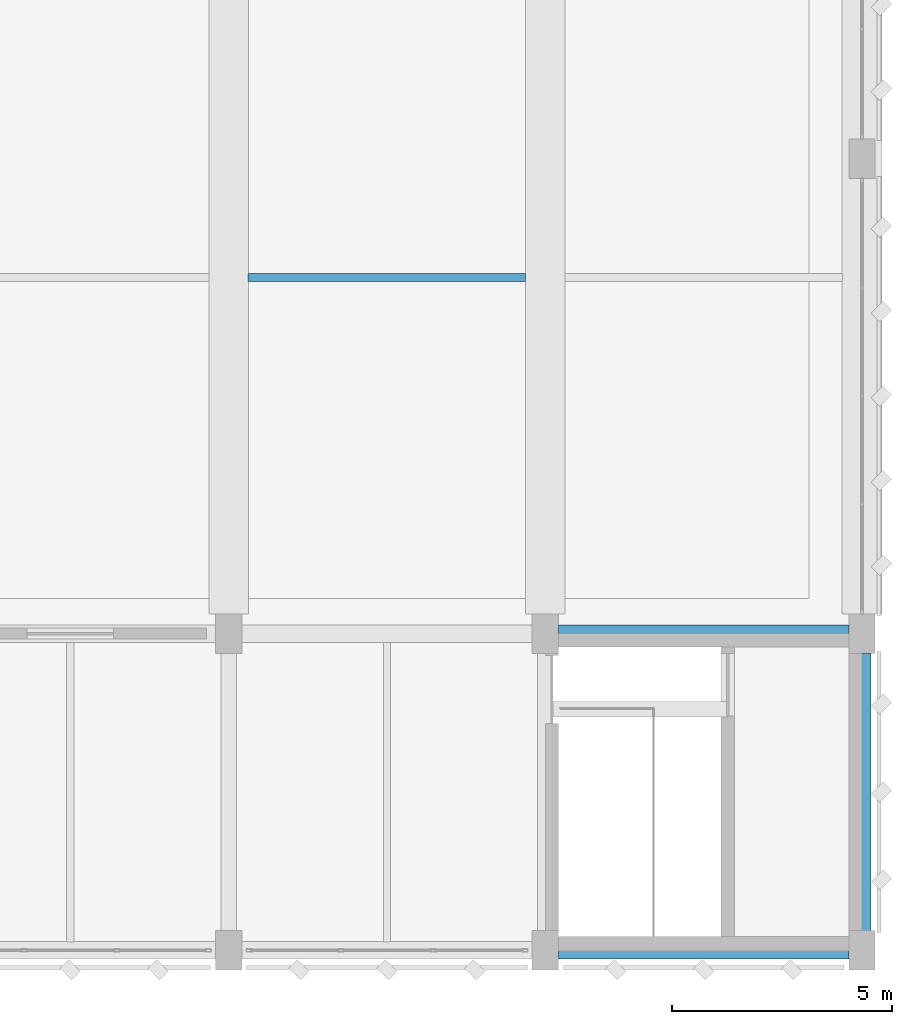
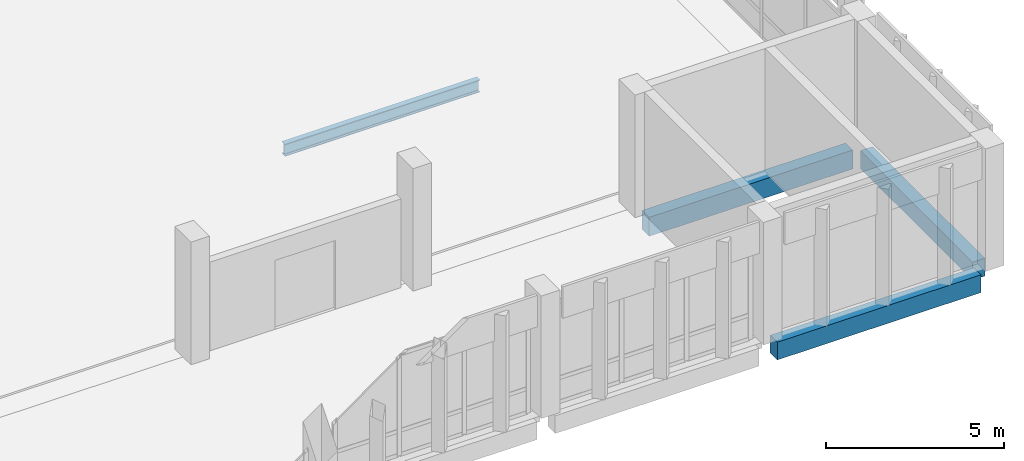
# One storey, part 79 of 158: 4 beams.
"""IFC4 building model written with IfcOpenShell, lengths in metres."""

from ifc_helpers import new_model, si_unit, direction, frame, origin, origin_2d, place, context, subcontext, project, spatial, rectangle, i_section, extrude, material, material_profile, profile_set, type_object, element, save


model = new_model("IFC4")

# Units and contexts
model_context = context("Model", 3, precision=1e-05, world=origin(), true_north=direction((0.0, 1.0)))
body_context = subcontext(model_context, "Body", "Model", "MODEL_VIEW")
ifc_project = project(units=[si_unit("LENGTHUNIT", "METRE"), si_unit("AREAUNIT", "SQUARE_METRE"), si_unit("VOLUMEUNIT", "CUBIC_METRE"), si_unit("PLANEANGLEUNIT", "RADIAN"), si_unit("MASSUNIT", "GRAM", prefix="KILO")], contexts=[model_context])

# Site, building, storey
site_placement = place(None, origin())
site = spatial("IfcSite", under=ifc_project, at=site_placement, CompositionType="ELEMENT")
building_placement = place(site_placement, origin())
building = spatial("IfcBuilding", under=site, at=building_placement, Name="Lusvemor Sports Hall", CompositionType="ELEMENT")
storey_placement = place(building_placement, frame((0.0, 0.0, 10.800048828125)))
storey = spatial("IfcBuildingStorey", under=building, at=storey_placement, Name="L02", CompositionType="ELEMENT", Elevation=10.800048828125)

# Beams
ifc_material_1 = material(Name="Concrete C40/50", Category="concrete")
ifc_material_profile_1 = material_profile(ifc_material_1, rectangle(XDim=0.39990234375, YDim=0.64990234375, at=origin_2d()), Name="RC400x650")
ifc_profile_set_1 = profile_set([ifc_material_profile_1], Name="Concrete C40/50")
beam_type_1 = type_object("IfcBeamType", Name="BEAM_RC_650", PredefinedType="BEAM", material=ifc_profile_set_1)
beam_1_placement = place(storey_placement, frame((162.2958984375, 7.199951171875, -0.675048828125), z_axis=(1.0, 0.0, 0.0), x_axis=(0.0, 1.0, 0.0)))
element("IfcBeam", 1, at=beam_1_placement, inside=storey, type_object=beam_type_1, Name="Beam L02 B:19-20", PredefinedType="BEAM", context=body_context, shape_type="SweptSolid", body=[
    extrude(rectangle(XDim=0.39990234375, YDim=0.64990234375, at=origin_2d()), origin(), (0.0, 0.0, 1.0), 6.608154296875),
])
ifc_material_2 = material(Name="Steel S355", Category="steel")
ifc_material_profile_2 = material_profile(ifc_material_2, i_section(OverallWidth=0.180908203125, OverallDepth=0.4169921875, WebThickness=0.010986328125, FlangeThickness=0.018310546875, FilletRadius=0.01611328125, at=origin_2d()), Name="W410x85.0")
ifc_profile_set_2 = profile_set([ifc_material_profile_2], Name="Steel S355")
beam_type_2 = type_object("IfcBeamType", Name="BEAM_ST_410H", PredefinedType="BEAM", material=ifc_profile_set_2)
beam_2_placement = place(storey_placement, frame((155.2451171875, 15.300048828125, -0.5625), z_axis=(1.0, 0.0, 0.0), x_axis=(0.0, 1.0, 0.0)))
element("IfcBeam", 2, at=beam_2_placement, inside=storey, type_object=beam_type_2, Name="Transfer Deck Beam 18-19 Row 1", PredefinedType="BEAM", context=body_context, shape_type="SweptSolid", body=[
    extrude(i_section(OverallWidth=0.180908203125, OverallDepth=0.4169921875, WebThickness=0.010986328125, FlangeThickness=0.018310546875, FilletRadius=0.01611328125, at=origin_2d()), origin(), (0.0, 0.0, 1.0), 6.309814453125),
])
ifc_material_3 = material(Name="Concrete C40/50", Category="concrete")
ifc_material_profile_3 = material_profile(ifc_material_3, rectangle(XDim=0.39990234375, YDim=0.610107421875, at=origin_2d()), Name="RC400x610")
ifc_profile_set_3 = profile_set([ifc_material_profile_3], Name="Concrete C40/50")
beam_type_3 = type_object("IfcBeamType", Name="SPAND_EXT_650", PredefinedType="SPANDREL", material=ifc_profile_set_3)
beam_3_placement = place(storey_placement, frame((162.2958984375, 0.0, -0.56494140625), z_axis=(1.0, 0.0, 0.0), x_axis=(0.0, 1.0, 0.0)))
element("IfcBeam", 3, at=beam_3_placement, inside=storey, type_object=beam_type_3, Name="Beam L02 A:19-20", PredefinedType="SPANDREL", context=body_context, shape_type="SweptSolid", body=[
    extrude(rectangle(XDim=0.39990234375, YDim=0.610107421875, at=origin_2d()), origin(), (0.0, 0.0, 1.0), 6.608154296875),
])
beam_4_placement = place(storey_placement, frame((169.199951171875, 0.446044921875, -0.56494140625), z_axis=(0.0, 1.0, 0.0), x_axis=(-1.0, 0.0, 0.0)))
element("IfcBeam", 4, at=beam_4_placement, inside=storey, type_object=beam_type_3, Name="Beam L02 20:A-B", PredefinedType="SPANDREL", context=body_context, shape_type="SweptSolid", body=[
    extrude(rectangle(XDim=0.39990234375, YDim=0.610107421875, at=origin_2d()), origin(), (0.0, 0.0, 1.0), 6.307861328125),
])

save(model, "model.ifc")
